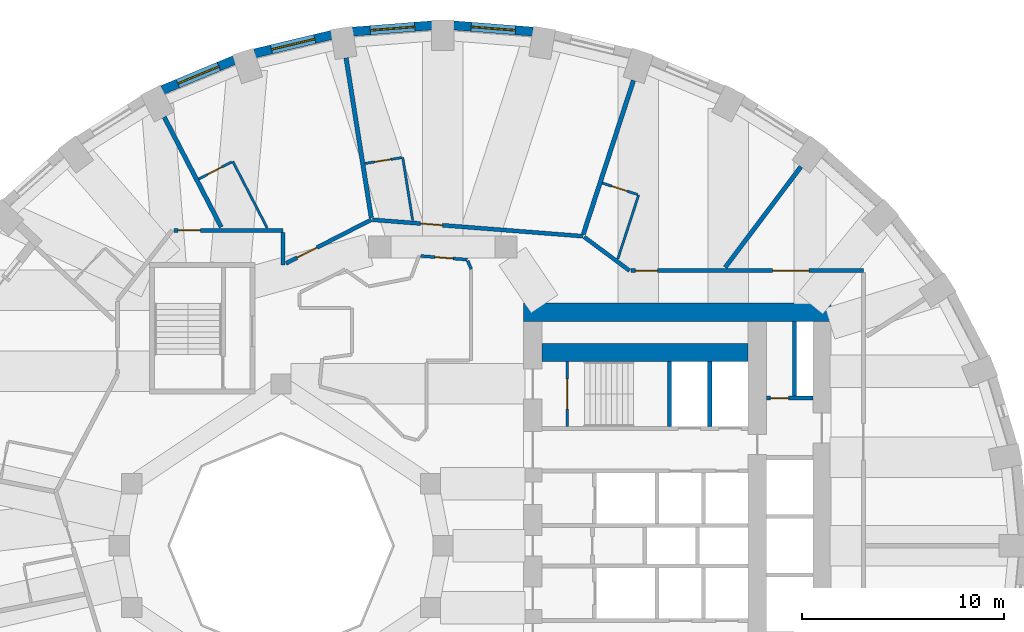
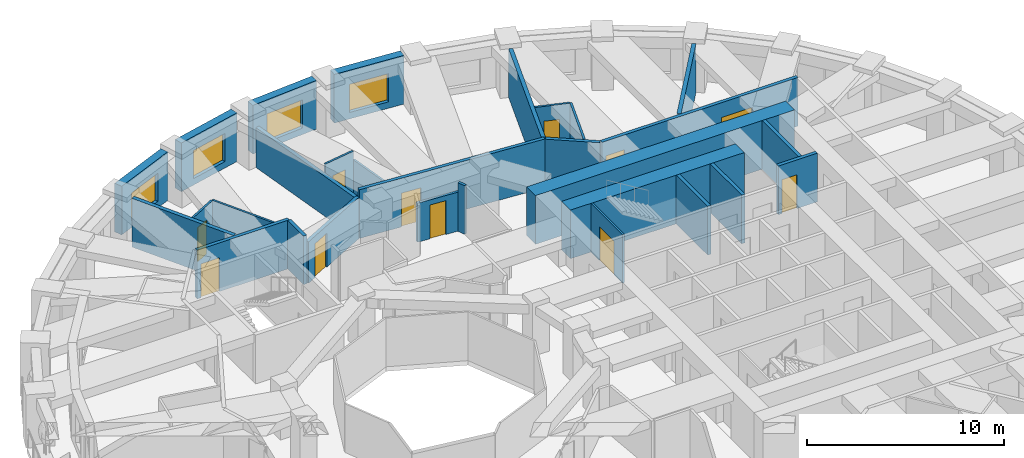
# One storey, part 8 of 13: 29 walls, 11 doors, 4 windows, 15 openings.
"""IFC4 building model written with IfcOpenShell, lengths in metres."""

import ifcopenshell
import ifcopenshell.guid

model = None  # the IFC model being written
_history = None  # IfcOwnerHistory: only IFC2X3 demands one
_inside = {}  # id of a spatial element -> (the spatial element, [elements in it])
_under = {}  # id of a project, library or spatial element -> (it, [spatial elements below it])
_declared = {}  # id of a project -> (the project, [libraries it declares])
_typed = {}  # id of a type object -> (the type object, [elements of that type])
_made_of = {}  # id of a material, layer set ... -> (it, [elements and type objects made of it])


def new_model(schema):
    """Start an empty IFC model of exactly this schema.

    Asked for "IFC4X3", IfcOpenShell would pick the latest addendum, in which some entities
    have other attributes; the version numbers below select the first issue.
    IFC2X3 requires an IfcOwnerHistory on every rooted entity: one is made here for all.
    """
    global model, _history
    if schema == "IFC4X3":
        model = ifcopenshell.file(schema_version=(4, 3, 0, 0))
    else:
        model = ifcopenshell.file(schema=schema)
    _inside.clear()
    _under.clear()
    _declared.clear()
    _typed.clear()
    _made_of.clear()
    _history = None
    if model.schema == "IFC2X3":
        org = make("IfcOrganization", Name="unknown")
        user = make(
            "IfcPersonAndOrganization",
            ThePerson=make("IfcPerson", FamilyName="unknown"),
            TheOrganization=org,
        )
        app = make(
            "IfcApplication",
            ApplicationDeveloper=org,
            Version="unknown",
            ApplicationFullName="unknown",
            ApplicationIdentifier="unknown",
        )
        _history = make(
            "IfcOwnerHistory",
            OwningUser=user,
            OwningApplication=app,
            ChangeAction="ADDED",
            CreationDate=0,
        )
    return model


def make(cls, **values):
    """One entity of the class cls with the attributes given. An attribute that is None is left unset."""
    return model.create_entity(
        cls, **{name: value for name, value in values.items() if value is not None}
    )


def rooted(cls, **values):
    """An entity with a GlobalId (a new one), such as an element, a storey or a relation."""
    return make(cls, GlobalId=ifcopenshell.guid.new(), OwnerHistory=_history, **values)


def si_unit(unit_type, name, prefix=None):
    """IfcSIUnit, for example si_unit("LENGTHUNIT", "METRE", prefix="MILLI")."""
    return make("IfcSIUnit", UnitType=unit_type, Prefix=prefix, Name=name)


def assignment(units):
    """IfcUnitAssignment: the units of a project."""
    return None if units is None else make("IfcUnitAssignment", Units=units)


def point(xyz):
    """IfcCartesianPoint."""
    return None if xyz is None else make("IfcCartesianPoint", Coordinates=xyz)


def direction(xyz):
    """IfcDirection."""
    return None if xyz is None else make("IfcDirection", DirectionRatios=xyz)


def frame(location, z_axis=None, x_axis=None):
    """IfcAxis2Placement3D, a coordinate frame: its origin and axes. An axis left out is left unset."""
    return make(
        "IfcAxis2Placement3D",
        Location=point(location),
        Axis=direction(z_axis),
        RefDirection=direction(x_axis),
    )


def frame_2d(location, x_axis=None):
    """IfcAxis2Placement2D, a coordinate frame in the plane: its origin and x axis."""
    return make(
        "IfcAxis2Placement2D", Location=point(location), RefDirection=direction(x_axis)
    )


def origin():
    """The frame at (0, 0, 0) with its axes left unset."""
    return frame((0.0, 0.0, 0.0))


def place(relative_to, where):
    """IfcLocalPlacement: puts the frame where relative to a parent placement (None: the world)."""
    return make(
        "IfcLocalPlacement", PlacementRelTo=relative_to, RelativePlacement=where
    )


def context(
    kind, dimensions, precision=None, world=None, true_north=None, identifier=None
):
    """IfcGeometricRepresentationContext, for example the 3D "Model" context."""
    return make(
        "IfcGeometricRepresentationContext",
        ContextIdentifier=identifier,
        ContextType=kind,
        CoordinateSpaceDimension=dimensions,
        Precision=precision,
        WorldCoordinateSystem=world,
        TrueNorth=true_north,
    )


def subcontext(parent, identifier, kind, view, scale=None):
    """IfcGeometricRepresentationSubContext, for example "Body" below "Model"."""
    return make(
        "IfcGeometricRepresentationSubContext",
        ContextIdentifier=identifier,
        ContextType=kind,
        ParentContext=parent,
        TargetScale=scale,
        TargetView=view,
    )


def project(units=None, contexts=None):
    """IfcProject with its units and contexts."""
    return rooted(
        "IfcProject",
        Name="project",
        RepresentationContexts=contexts,
        UnitsInContext=assignment(units),
    )


def spatial(cls, under=None, at=None, **own):
    """A site, building, storey or space (cls), placed at a placement, below another one or the project."""
    s = rooted(cls, ObjectPlacement=at, **own)
    if under is not None:
        _under.setdefault(under.id(), (under, []))[1].append(s)
    return s


def profile(cls, at=None, kind="AREA", **sizes):
    """A parametric profile (cls). Its sizes go by their IFC names, for example OverallWidth=200.0."""
    return make(cls, ProfileType=kind, Position=at, **sizes)


def rectangle(**sizes):
    """IfcRectangleProfileDef."""
    return profile("IfcRectangleProfileDef", **sizes)


def extrude(swept, where, along, depth):
    """IfcExtrudedAreaSolid: the profile swept, set in the frame where, extruded along a direction by depth."""
    return make(
        "IfcExtrudedAreaSolid",
        SweptArea=swept,
        Position=where,
        ExtrudedDirection=direction(along),
        Depth=depth,
    )


def shape(context_of_items, identifier, shape_type, items):
    """IfcShapeRepresentation: the items that make up one representation, for example the "Body"."""
    return make(
        "IfcShapeRepresentation",
        ContextOfItems=context_of_items,
        RepresentationIdentifier=identifier,
        RepresentationType=shape_type,
        Items=items,
    )


def material(Name=None, Category=None):
    """IfcMaterial."""
    return make("IfcMaterial", Name=Name, Category=Category)


def layer(
    of_material, thickness, ventilated=None, Name=None, Category=None, Priority=None
):
    """IfcMaterialLayer: one layer of a wall or slab, of a material (None: an air gap)."""
    return make(
        "IfcMaterialLayer",
        Material=of_material,
        LayerThickness=thickness,
        IsVentilated=ventilated,
        Name=Name,
        Category=Category,
        Priority=Priority,
    )


def layer_set(layers, Name=None):
    """IfcMaterialLayerSet."""
    return make("IfcMaterialLayerSet", MaterialLayers=layers, LayerSetName=Name)


def made_of(thing, what):
    """Note that an element or type object is made of a material, layer set ...; save() writes the relation."""
    if what is not None:
        _made_of.setdefault(what.id(), (what, []))[1].append(thing)
    return thing


def type_object(cls, material=None, **own):
    """A type object (cls), such as IfcWallType, which elements share."""
    return made_of(rooted(cls, **own), material)


def element(
    cls,
    number,
    at=None,
    inside=None,
    cuts=None,
    type_object=None,
    material=None,
    context=None,
    identifier="Body",
    shape_type=None,
    held_by="IfcProductDefinitionShape",
    body=None,
    shapes=None,
    **own,
):
    """One element of the class cls, such as IfcWall. Its Tag is "e" and its number.

    at: its placement. inside: the storey or other place that contains it. cuts: it is an
    opening in that element (IfcRelVoidsElement). A single representation is given by context,
    identifier, shape_type and body (its items); several are given by shapes. held_by: the class
    of the entity that holds the representations. save() writes the other relations.
    """
    e = rooted(cls, Tag="e%d" % number, ObjectPlacement=at, **own)
    if body is not None:
        shapes = [shape(context, identifier, shape_type, body)]
    if shapes is not None:
        e.Representation = make(held_by, Representations=shapes)
    if inside is not None:
        _inside.setdefault(inside.id(), (inside, []))[1].append(e)
    if cuts is not None:
        rooted(
            "IfcRelVoidsElement", RelatingBuildingElement=cuts, RelatedOpeningElement=e
        )
    if type_object is not None:
        _typed.setdefault(type_object.id(), (type_object, []))[1].append(e)
    return made_of(e, material)


def fill(opening, filler):
    """IfcRelFillsElement: the door or window that sits in an opening."""
    return rooted(
        "IfcRelFillsElement",
        RelatingOpeningElement=opening,
        RelatedBuildingElement=filler,
    )


def aggregate(whole, parts):
    """IfcRelAggregates: a whole, such as a stair, and the parts it consists of."""
    return rooted("IfcRelAggregates", RelatingObject=whole, RelatedObjects=parts)


def save(model, path):
    """Write the relations noted so far, then the file.

    IfcRelAggregates (storeys below a building ...), IfcRelContainedInSpatialStructure (elements
    in a storey), IfcRelDefinesByType, IfcRelAssociatesMaterial and IfcRelDeclares: one each for
    every whole, place, type object, material and project.
    """
    for whole, parts in _under.values():
        aggregate(whole, parts)
    for where, things in _inside.values():
        rooted(
            "IfcRelContainedInSpatialStructure",
            RelatedElements=things,
            RelatingStructure=where,
        )
    for kind, things in _typed.values():
        rooted("IfcRelDefinesByType", RelatedObjects=things, RelatingType=kind)
    for what, things in _made_of.values():
        rooted("IfcRelAssociatesMaterial", RelatedObjects=things, RelatingMaterial=what)
    for by, libraries in _declared.values():
        rooted("IfcRelDeclares", RelatingContext=by, RelatedDefinitions=libraries)
    model.write(path)


model = new_model("IFC4")

# Units and contexts
model_context = context("Model", 3, precision=1e-05, world=origin(), true_north=direction((0.0, 1.0)))
body_context = subcontext(model_context, "Body", "Model", "MODEL_VIEW")
ifc_project = project(units=[si_unit("LENGTHUNIT", "METRE"), si_unit("AREAUNIT", "SQUARE_METRE"), si_unit("VOLUMEUNIT", "CUBIC_METRE"), si_unit("PLANEANGLEUNIT", "RADIAN"), si_unit("MASSUNIT", "GRAM", prefix="KILO")], contexts=[model_context])

# Site, building, storey
site_placement = place(None, origin())
site = spatial("IfcSite", under=ifc_project, at=site_placement, CompositionType="ELEMENT")
building_placement = place(site_placement, origin())
building = spatial("IfcBuilding", under=site, at=building_placement, Name="Taillehof Tower", CompositionType="ELEMENT")
storey_placement = place(building_placement, frame((0.0, 0.0, 31.60009765625)))
storey = spatial("IfcBuildingStorey", under=building, at=storey_placement, Name="L07", CompositionType="ELEMENT", Elevation=31.60009765625)

# Wall, opening, window
ifc_material_1 = material(Name="Brick masonry", Category="masonry")
ifc_layer_1 = layer(ifc_material_1, 0.449951171875)
ifc_layer_set_1 = layer_set([ifc_layer_1], Name="Brick infill wall 450")
wall_type_1 = type_object("IfcWallType", Name="Brick infill wall 450", PredefinedType="SOLIDWALL", material=ifc_layer_set_1)
wall_1_placement = place(storey_placement, frame((4.457275390625, 25.42578125, 0.0), z_axis=(0.0, 0.0, 1.0), x_axis=(-0.996955972145, 0.077966592873, 0.0)))
wall_1 = element("IfcWall", 1, at=wall_1_placement, inside=storey, type_object=wall_type_1, Name="Brick wall L07 bay 9", PredefinedType="SOLIDWALL", context=body_context, shape_type="SweptSolid", body=[
    extrude(rectangle(XDim=3.939208984375, YDim=0.449951171875, at=frame_2d((1.9697265625, 0.0))), origin(), (0.0, 0.0, 1.0), 3.02001953125),
])
opening_1_placement = place(wall_1_placement, frame((0.86962890625, 0.0, 0.39990234375)))
opening_1 = element("IfcOpeningElement", 2, at=opening_1_placement, cuts=wall_1, Name="Opening W1", PredefinedType="OPENING", context=body_context, shape_type="SweptSolid", body=[
    extrude(rectangle(XDim=2.199951171875, YDim=1.75, at=frame_2d((1.10009765625, 0.875))), frame((0.0, 0.23486328125, 0.0), z_axis=(0.0, -1.0, 0.0), x_axis=(1.0, 0.0, 0.0)), (0.0, 0.0, 1.0), 0.469970703125),
])
ifc_material_2 = material(Name="Aluminium window frame with clear double glazing", Category="aluminium")
window_type = type_object("IfcWindowType", Name="Deep-set window 2200x1750", PartitioningType="SINGLE_PANEL", PredefinedType="WINDOW", material=ifc_material_2)
window_1_placement = place(opening_1_placement, origin())
window_1 = element("IfcWindow", 3, at=window_1_placement, inside=storey, type_object=window_type, Name="W1", OverallHeight=1.75, OverallWidth=2.199951171875, PartitioningType="SINGLE_PANEL", PredefinedType="WINDOW", context=body_context, shape_type="SweptSolid", body=[
    extrude(rectangle(XDim=2.199951171875, YDim=1.75, at=frame_2d((1.10009765625, 0.875))), frame((0.0, 0.034912109375, 0.0), z_axis=(0.0, -1.0, 0.0), x_axis=(1.0, 0.0, 0.0)), (0.0, 0.0, 1.0), 0.06005859375),
])
fill(opening_1, window_1)

wall_2_placement = place(storey_placement, frame((-0.530029296875, 25.73291015625, 0.0), z_axis=(0.0, 0.0, 1.0), x_axis=(-0.996955972145, -0.077966592873, 0.0)))
wall_2 = element("IfcWall", 4, at=wall_2_placement, inside=storey, type_object=wall_type_1, Name="Brick wall L07 bay 10", PredefinedType="SOLIDWALL", context=body_context, shape_type="SweptSolid", body=[
    extrude(rectangle(XDim=3.939208984375, YDim=0.449951171875, at=frame_2d((1.9697265625, 0.0))), origin(), (0.0, 0.0, 1.0), 3.02001953125),
])
opening_2_placement = place(wall_2_placement, frame((0.86962890625, 0.0, 0.39990234375)))
opening_2 = element("IfcOpeningElement", 5, at=opening_2_placement, cuts=wall_2, Name="Opening W1", PredefinedType="OPENING", context=body_context, shape_type="SweptSolid", body=[
    extrude(rectangle(XDim=2.199951171875, YDim=1.75, at=frame_2d((1.10009765625, 0.875))), frame((0.0, 0.23486328125, 0.0), z_axis=(0.0, -1.0, 0.0), x_axis=(1.0, 0.0, 0.0)), (0.0, 0.0, 1.0), 0.469970703125),
])
window_2_placement = place(opening_2_placement, origin())
window_2 = element("IfcWindow", 6, at=window_2_placement, inside=storey, type_object=window_type, Name="W1", OverallHeight=1.75, OverallWidth=2.199951171875, PartitioningType="SINGLE_PANEL", PredefinedType="WINDOW", context=body_context, shape_type="SweptSolid", body=[
    extrude(rectangle(XDim=2.199951171875, YDim=1.75, at=frame_2d((1.10009765625, 0.875))), frame((0.0, 0.034912109375, 0.0), z_axis=(0.0, -1.0, 0.0), x_axis=(1.0, 0.0, 0.0)), (0.0, 0.0, 1.0), 0.06005859375),
])
fill(opening_2, window_2)

wall_3_placement = place(storey_placement, frame((-5.50439453125, 25.260498046875, 0.0), z_axis=(0.0, 0.0, 1.0), x_axis=(-0.972496561493, -0.232917233979, 0.0)))
wall_3 = element("IfcWall", 7, at=wall_3_placement, inside=storey, type_object=wall_type_1, Name="Brick wall L07 bay 11", PredefinedType="SOLIDWALL", context=body_context, shape_type="SweptSolid", body=[
    extrude(rectangle(XDim=3.910888671875, YDim=0.449951171875, at=frame_2d((1.95556640625, 0.0))), origin(), (0.0, 0.0, 1.0), 3.02001953125),
])
opening_3_placement = place(wall_3_placement, frame((0.855224609375, 0.0, 0.39990234375)))
opening_3 = element("IfcOpeningElement", 8, at=opening_3_placement, cuts=wall_3, Name="Opening W1", PredefinedType="OPENING", context=body_context, shape_type="SweptSolid", body=[
    extrude(rectangle(XDim=2.199951171875, YDim=1.75, at=frame_2d((1.10009765625, 0.875))), frame((0.0, 0.23486328125, 0.0), z_axis=(0.0, -1.0, 0.0), x_axis=(1.0, 0.0, 0.0)), (0.0, 0.0, 1.0), 0.469970703125),
])
window_3_placement = place(opening_3_placement, origin())
window_3 = element("IfcWindow", 9, at=window_3_placement, inside=storey, type_object=window_type, Name="W1", OverallHeight=1.75, OverallWidth=2.199951171875, PartitioningType="SINGLE_PANEL", PredefinedType="WINDOW", context=body_context, shape_type="SweptSolid", body=[
    extrude(rectangle(XDim=2.199951171875, YDim=1.75, at=frame_2d((1.10009765625, 0.875))), frame((0.0, 0.034912109375, 0.0), z_axis=(0.0, -1.0, 0.0), x_axis=(1.0, 0.0, 0.0)), (0.0, 0.0, 1.0), 0.06005859375),
])
fill(opening_3, window_3)

wall_4_placement = place(storey_placement, frame((-10.3154296875, 24.02099609375, 0.0), z_axis=(0.0, 0.0, 1.0), x_axis=(-0.923031964282, -0.384723267966, 0.0)))
wall_4 = element("IfcWall", 10, at=wall_4_placement, inside=storey, type_object=wall_type_1, Name="Brick wall L07 bay 12", PredefinedType="SOLIDWALL", context=body_context, shape_type="SweptSolid", body=[
    extrude(rectangle(XDim=3.8564453125, YDim=0.449951171875, at=frame_2d((1.92822265625, 0.0))), origin(), (0.0, 0.0, 1.0), 3.02001953125),
])
opening_4_placement = place(wall_4_placement, frame((0.828125, 0.0, 0.39990234375)))
opening_4 = element("IfcOpeningElement", 11, at=opening_4_placement, cuts=wall_4, Name="Opening W1", PredefinedType="OPENING", context=body_context, shape_type="SweptSolid", body=[
    extrude(rectangle(XDim=2.199951171875, YDim=1.75, at=frame_2d((1.10009765625, 0.875))), frame((0.0, 0.23486328125, 0.0), z_axis=(0.0, -1.0, 0.0), x_axis=(1.0, 0.0, 0.0)), (0.0, 0.0, 1.0), 0.469970703125),
])
window_4_placement = place(opening_4_placement, origin())
window_4 = element("IfcWindow", 12, at=window_4_placement, inside=storey, type_object=window_type, Name="W1", OverallHeight=1.75, OverallWidth=2.199951171875, PartitioningType="SINGLE_PANEL", PredefinedType="WINDOW", context=body_context, shape_type="SweptSolid", body=[
    extrude(rectangle(XDim=2.199951171875, YDim=1.75, at=frame_2d((1.10009765625, 0.875))), frame((0.0, 0.034912109375, 0.0), z_axis=(0.0, -1.0, 0.0), x_axis=(1.0, 0.0, 0.0)), (0.0, 0.0, 1.0), 0.06005859375),
])
fill(opening_4, window_4)

# Wall, opening, door
ifc_material_3 = material(Name="Calcium silicate masonry", Category="masonry")
ifc_layer_2 = layer(ifc_material_3, 0.199951171875)
ifc_layer_set_2 = layer_set([ifc_layer_2], Name="Compartment wall calcium silicate 200")
wall_type_2 = type_object("IfcWallType", Name="Compartment wall calcium silicate 200", PredefinedType="PARTITIONING", material=ifc_layer_set_2)
wall_5_placement = place(storey_placement, frame((16.0, 7.300048828125, 0.0), z_axis=(0.0, 0.0, 1.0), x_axis=(1.0, 0.0, 0.0)))
wall_5 = element("IfcWall", 13, at=wall_5_placement, inside=storey, type_object=wall_type_2, Name="Compartment wall FW", PredefinedType="PARTITIONING", context=body_context, shape_type="SweptSolid", body=[
    extrude(rectangle(XDim=2.300048828125, YDim=0.199951171875, at=frame_2d((1.14990234375, 0.0))), origin(), (0.0, 0.0, 1.0), 3.02001953125),
])
opening_5_placement = place(wall_5_placement, frame((0.199951171875, 0.0, 0.0)))
opening_5 = element("IfcOpeningElement", 14, at=opening_5_placement, cuts=wall_5, Name="Opening D0716", PredefinedType="OPENING", context=body_context, shape_type="SweptSolid", body=[
    extrude(rectangle(XDim=0.89990234375, YDim=2.10009765625, at=frame_2d((0.449951171875, 1.050048828125))), frame((0.0, 0.10986328125, 0.0), z_axis=(0.0, -1.0, 0.0), x_axis=(1.0, 0.0, 0.0)), (0.0, 0.0, 1.0), 0.219970703125),
])
ifc_material_4 = material(Name="Steel-faced fire door", Category="steel")
door_type_1 = type_object("IfcDoorType", Name="Riser and service room door 900x2100", OperationType="SINGLE_SWING_LEFT", PredefinedType="DOOR", material=ifc_material_4)
door_1_placement = place(opening_5_placement, origin())
door_1 = element("IfcDoor", 15, at=door_1_placement, inside=storey, type_object=door_type_1, Name="Door Housekeeping Store", OperationType="SINGLE_SWING_RIGHT", OverallHeight=2.10009765625, OverallWidth=0.89990234375, PredefinedType="DOOR", context=body_context, shape_type="SweptSolid", body=[
    extrude(rectangle(XDim=0.89990234375, YDim=2.10009765625, at=frame_2d((0.449951171875, 1.050048828125))), frame((0.0, 0.02490234375, 0.0), z_axis=(0.0, -1.0, 0.0), x_axis=(1.0, 0.0, 0.0)), (0.0, 0.0, 1.0), 0.050048828125),
])
fill(opening_5, door_1)

# Wall
wall_6_placement = place(storey_placement, frame((17.39990234375, 7.39990234375, 0.0), z_axis=(0.0, 0.0, 1.0), x_axis=(0.0, 1.0, 0.0)))
element("IfcWall", 16, at=wall_6_placement, inside=storey, type_object=wall_type_2, Name="Compartment wall FW", PredefinedType="PARTITIONING", context=body_context, shape_type="SweptSolid", body=[
    extrude(rectangle(XDim=3.7001953125, YDim=0.199951171875, at=frame_2d((1.85009765625, 0.0))), origin(), (0.0, 0.0, 1.0), 3.02001953125),
])

# Wall, opening, door
ifc_material_5 = material(Name="Gypsum board on steel studs, two layers each side", Category="steel")
ifc_layer_3 = layer(ifc_material_5, 0.199951171875)
ifc_layer_set_3 = layer_set([ifc_layer_3], Name="Compartment wall corridor 200")
wall_type_3 = type_object("IfcWallType", Name="Compartment wall corridor 200", PredefinedType="PARTITIONING", material=ifc_layer_set_3)
wall_7_placement = place(storey_placement, frame((-13.30908203125, 15.60009765625, 0.0), z_axis=(0.0, 0.0, 1.0), x_axis=(1.0, 0.0, 0.0)))
wall_7 = element("IfcWall", 17, at=wall_7_placement, inside=storey, type_object=wall_type_3, Name="Compartment wall", PredefinedType="PARTITIONING", context=body_context, shape_type="SweptSolid", body=[
    extrude(rectangle(XDim=5.4091796875, YDim=0.199951171875, at=frame_2d((2.70458984375, 0.0))), origin(), (0.0, 0.0, 1.0), 3.02001953125),
])
opening_6_placement = place(wall_7_placement, frame((0.219970703125, 0.0, 0.0)))
opening_6 = element("IfcOpeningElement", 18, at=opening_6_placement, cuts=wall_7, Name="Opening D0746", PredefinedType="OPENING", context=body_context, shape_type="SweptSolid", body=[
    extrude(rectangle(XDim=1.10009765625, YDim=2.10009765625, at=frame_2d((0.550048828125, 1.050048828125))), frame((0.0, 0.10986328125, 0.0), z_axis=(0.0, -1.0, 0.0), x_axis=(1.0, 0.0, 0.0)), (0.0, 0.0, 1.0), 0.219970703125),
])
ifc_material_6 = material(Name="Timber door leaf in steel frame", Category="steel")
door_type_2 = type_object("IfcDoorType", Name="Accessible guest room door EI 30 1100 x 2100", OperationType="SINGLE_SWING_LEFT", PredefinedType="DOOR", material=ifc_material_6)
door_2_placement = place(opening_6_placement, origin())
door_2 = element("IfcDoor", 19, at=door_2_placement, inside=storey, type_object=door_type_2, Name="D0746", OperationType="SINGLE_SWING_RIGHT", OverallHeight=2.10009765625, OverallWidth=1.10009765625, PredefinedType="DOOR", context=body_context, shape_type="SweptSolid", body=[
    extrude(rectangle(XDim=1.10009765625, YDim=2.10009765625, at=frame_2d((0.550048828125, 1.050048828125))), frame((0.0, 0.02490234375, 0.0), z_axis=(0.0, -1.0, 0.0), x_axis=(1.0, 0.0, 0.0)), (0.0, 0.0, 1.0), 0.050048828125),
])
fill(opening_6, door_2)

# Wall
wall_8_placement = place(storey_placement, frame((-7.89990234375, 15.5, 0.0), z_axis=(0.0, 0.0, 1.0), x_axis=(0.0, -1.0, 0.0)))
element("IfcWall", 20, at=wall_8_placement, inside=storey, type_object=wall_type_3, Name="Compartment wall", PredefinedType="PARTITIONING", context=body_context, shape_type="SweptSolid", body=[
    extrude(rectangle(XDim=1.609619140625, YDim=0.199951171875, at=frame_2d((0.8046875, 0.0))), origin(), (0.0, 0.0, 1.0), 3.02001953125),
])

# Wall, opening, door
wall_9_placement = place(storey_placement, frame((-7.75732421875, 13.962646484375, 0.0), z_axis=(0.0, 0.0, 1.0), x_axis=(0.89017531408, 0.455618162722, 0.0)))
wall_9 = element("IfcWall", 21, at=wall_9_placement, inside=storey, type_object=wall_type_3, Name="Compartment wall", PredefinedType="PARTITIONING", context=body_context, shape_type="SweptSolid", body=[
    extrude(rectangle(XDim=4.7412109375, YDim=0.199951171875, at=frame_2d((2.37060546875, 0.0))), origin(), (0.0, 0.0, 1.0), 2.56982421875),
])
opening_7_placement = place(wall_9_placement, frame((0.6201171875, 0.0, 0.0)))
opening_7 = element("IfcOpeningElement", 22, at=opening_7_placement, cuts=wall_9, Name="Opening D0744", PredefinedType="OPENING", context=body_context, shape_type="SweptSolid", body=[
    extrude(rectangle(XDim=1.10009765625, YDim=2.10009765625, at=frame_2d((0.550048828125, 1.050048828125))), frame((0.0, 0.10986328125, 0.0), z_axis=(0.0, -1.0, 0.0), x_axis=(1.0, 0.0, 0.0)), (0.0, 0.0, 1.0), 0.219970703125),
])
ifc_material_7 = material(Name="Timber door leaf in steel frame", Category="steel")
door_type_3 = type_object("IfcDoorType", Name="Suite entrance door EI 30 1100 x 2100", OperationType="SINGLE_SWING_LEFT", PredefinedType="DOOR", material=ifc_material_7)
door_3_placement = place(opening_7_placement, origin())
door_3 = element("IfcDoor", 23, at=door_3_placement, inside=storey, type_object=door_type_3, Name="D0744", OperationType="SINGLE_SWING_LEFT", OverallHeight=2.10009765625, OverallWidth=1.10009765625, PredefinedType="DOOR", context=body_context, shape_type="SweptSolid", body=[
    extrude(rectangle(XDim=1.10009765625, YDim=2.10009765625, at=frame_2d((0.550048828125, 1.050048828125))), frame((0.0, 0.02490234375, 0.0), z_axis=(0.0, -1.0, 0.0), x_axis=(1.0, 0.0, 0.0)), (0.0, 0.0, 1.0), 0.050048828125),
])
fill(opening_7, door_3)

wall_10_placement = place(storey_placement, frame((-3.476806640625, 16.118408203125, 0.0), z_axis=(0.0, 0.0, 1.0), x_axis=(0.996970328684, -0.077782798383, 0.0)))
wall_10 = element("IfcWall", 24, at=wall_10_placement, inside=storey, type_object=wall_type_3, Name="Compartment wall", PredefinedType="PARTITIONING", context=body_context, shape_type="SweptSolid", body=[
    extrude(rectangle(XDim=10.448974609375, YDim=0.199951171875, at=frame_2d((5.224609375, 0.0))), origin(), (0.0, 0.0, 1.0), 3.02001953125),
])
opening_8_placement = place(wall_10_placement, frame((2.372314453125, 0.0, 0.0)))
opening_8 = element("IfcOpeningElement", 25, at=opening_8_placement, cuts=wall_10, Name="Opening D0742", PredefinedType="OPENING", context=body_context, shape_type="SweptSolid", body=[
    extrude(rectangle(XDim=1.10009765625, YDim=2.10009765625, at=frame_2d((0.550048828125, 1.050048828125))), frame((0.0, 0.10986328125, 0.0), z_axis=(0.0, -1.0, 0.0), x_axis=(1.0, 0.0, 0.0)), (0.0, 0.0, 1.0), 0.219970703125),
])
door_4_placement = place(opening_8_placement, origin())
door_4 = element("IfcDoor", 26, at=door_4_placement, inside=storey, type_object=door_type_3, Name="D0742", OperationType="SINGLE_SWING_LEFT", OverallHeight=2.10009765625, OverallWidth=1.10009765625, PredefinedType="DOOR", context=body_context, shape_type="SweptSolid", body=[
    extrude(rectangle(XDim=1.10009765625, YDim=2.10009765625, at=frame_2d((0.550048828125, 1.050048828125))), frame((0.0, 0.02490234375, 0.0), z_axis=(0.0, -1.0, 0.0), x_axis=(1.0, 0.0, 0.0)), (0.0, 0.0, 1.0), 0.050048828125),
])
fill(opening_8, door_4)

# Wall
wall_11_placement = place(storey_placement, frame((6.98876953125, 15.269775390625, 0.0), z_axis=(0.0, 0.0, 1.0), x_axis=(0.8028261118, -0.596213245586, 0.0)))
element("IfcWall", 27, at=wall_11_placement, inside=storey, type_object=wall_type_3, Name="Compartment wall", PredefinedType="PARTITIONING", context=body_context, shape_type="SweptSolid", body=[
    extrude(rectangle(XDim=2.800537109375, YDim=0.199951171875, at=frame_2d((1.400390625, 0.0))), origin(), (0.0, 0.0, 1.0), 3.02001953125),
])

# Wall, openings, doors
wall_12_placement = place(storey_placement, frame((9.297119140625, 13.60009765625, 0.0), z_axis=(0.0, 0.0, 1.0), x_axis=(1.0, 0.0, 0.0)))
wall_12 = element("IfcWall", 28, at=wall_12_placement, inside=storey, type_object=wall_type_3, Name="Compartment wall", PredefinedType="PARTITIONING", context=body_context, shape_type="SweptSolid", body=[
    extrude(rectangle(XDim=11.5029296875, YDim=0.199951171875, at=frame_2d((5.75146484375, 0.0))), origin(), (0.0, 0.0, 1.0), 3.02001953125),
])
opening_9_placement = place(wall_12_placement, frame((0.219970703125, 0.0, 0.0)))
opening_9 = element("IfcOpeningElement", 29, at=opening_9_placement, cuts=wall_12, Name="Opening D0740", PredefinedType="OPENING", context=body_context, shape_type="SweptSolid", body=[
    extrude(rectangle(XDim=1.10009765625, YDim=2.10009765625, at=frame_2d((0.550048828125, 1.050048828125))), frame((0.0, 0.10986328125, 0.0), z_axis=(0.0, -1.0, 0.0), x_axis=(1.0, 0.0, 0.0)), (0.0, 0.0, 1.0), 0.219970703125),
])
opening_10_placement = place(wall_12_placement, frame((7.012939453125, 0.0, 0.0)))
opening_10 = element("IfcOpeningElement", 30, at=opening_10_placement, cuts=wall_12, Name="Opening D0765", PredefinedType="OPENING", context=body_context, shape_type="SweptSolid", body=[
    extrude(rectangle(XDim=1.800048828125, YDim=2.10009765625, at=frame_2d((0.89990234375, 1.050048828125))), frame((0.0, 0.10986328125, 0.0), z_axis=(0.0, -1.0, 0.0), x_axis=(1.0, 0.0, 0.0)), (0.0, 0.0, 1.0), 0.219970703125),
])
ifc_material_8 = material(Name="Timber door leaf in steel frame", Category="steel")
door_type_4 = type_object("IfcDoorType", Name="Lounge and meeting room double door EI 30 1800 x 2100", OperationType="SINGLE_SWING_LEFT", PredefinedType="DOOR", material=ifc_material_8)
door_5_placement = place(opening_10_placement, origin())
door_5 = element("IfcDoor", 31, at=door_5_placement, inside=storey, type_object=door_type_4, Name="D0765", OperationType="DOUBLE_DOOR_SINGLE_SWING", OverallHeight=2.10009765625, OverallWidth=1.800048828125, PredefinedType="DOOR", context=body_context, shape_type="SweptSolid", body=[
    extrude(rectangle(XDim=1.800048828125, YDim=2.10009765625, at=frame_2d((0.89990234375, 1.050048828125))), frame((0.0, 0.02490234375, 0.0), z_axis=(0.0, -1.0, 0.0), x_axis=(1.0, 0.0, 0.0)), (0.0, 0.0, 1.0), 0.050048828125),
])
fill(opening_10, door_5)
door_6_placement = place(opening_9_placement, origin())
door_6 = element("IfcDoor", 32, at=door_6_placement, inside=storey, type_object=door_type_3, Name="D0740", OperationType="SINGLE_SWING_LEFT", OverallHeight=2.10009765625, OverallWidth=1.10009765625, PredefinedType="DOOR", context=body_context, shape_type="SweptSolid", body=[
    extrude(rectangle(XDim=1.10009765625, YDim=2.10009765625, at=frame_2d((0.550048828125, 1.050048828125))), frame((0.0, 0.02490234375, 0.0), z_axis=(0.0, -1.0, 0.0), x_axis=(1.0, 0.0, 0.0)), (0.0, 0.0, 1.0), 0.050048828125),
])
fill(opening_9, door_6)

# Walls
ifc_material_9 = material(Name="Gypsum board on double steel studs with mineral wool", Category="steel")
ifc_layer_4 = layer(ifc_material_9, 0.219970703125)
ifc_layer_set_4 = layer_set([ifc_layer_4], Name="Compartment wall guest room 220")
wall_type_4 = type_object("IfcWallType", Name="Compartment wall guest room 220", PredefinedType="PARTITIONING", material=ifc_layer_set_4)
wall_13_placement = place(storey_placement, frame((17.707763671875, 18.7431640625, 0.0), z_axis=(0.0, 0.0, 1.0), x_axis=(-0.601177883261, -0.799115231164, 0.0)))
element("IfcWall", 33, at=wall_13_placement, inside=storey, type_object=wall_type_4, Name="Compartment wall", PredefinedType="PARTITIONING", context=body_context, shape_type="SweptSolid", body=[
    extrude(rectangle(XDim=6.231201171875, YDim=0.219970703125, at=frame_2d((3.11572265625, 0.0))), origin(), (0.0, 0.0, 1.0), 3.02001953125),
])
wall_14_placement = place(storey_placement, frame((9.429443359375, 23.01416015625, 0.0), z_axis=(0.0, 0.0, 1.0), x_axis=(-0.310227384954, -0.950662384669, 0.0)))
element("IfcWall", 34, at=wall_14_placement, inside=storey, type_object=wall_type_4, Name="Compartment wall", PredefinedType="PARTITIONING", context=body_context, shape_type="SweptSolid", body=[
    extrude(rectangle(XDim=8.00341796875, YDim=0.219970703125, at=frame_2d((4.001708984375, 0.0))), origin(), (0.0, 0.0, 1.0), 3.02001953125),
])
wall_15_placement = place(storey_placement, frame((-4.788330078125, 24.12548828125, 0.0), z_axis=(0.0, 0.0, 1.0), x_axis=(0.156108238506, -0.987739954578, 0.0)))
element("IfcWall", 35, at=wall_15_placement, inside=storey, type_object=wall_type_4, Name="Compartment wall", PredefinedType="PARTITIONING", context=body_context, shape_type="SweptSolid", body=[
    extrude(rectangle(XDim=8.004150390625, YDim=0.219970703125, at=frame_2d((4.001953125, 0.0))), origin(), (0.0, 0.0, 1.0), 2.469970703125),
])
wall_16_placement = place(storey_placement, frame((-13.7802734375, 21.201171875, 0.0), z_axis=(0.0, 0.0, 1.0), x_axis=(0.459699000582, -0.888074787878, 0.0)))
element("IfcWall", 36, at=wall_16_placement, inside=storey, type_object=wall_type_4, Name="Compartment wall", PredefinedType="PARTITIONING", context=body_context, shape_type="SweptSolid", body=[
    extrude(rectangle(XDim=6.134033203125, YDim=0.219970703125, at=frame_2d((3.06689453125, 0.0))), origin(), (0.0, 0.0, 1.0), 3.02001953125),
])

# Wall, opening, door
ifc_material_10 = material(Name="Gypsum board on steel studs, two layers each side", Category="steel")
ifc_layer_5 = layer(ifc_material_10, 0.14990234375)
ifc_layer_set_5 = layer_set([ifc_layer_5], Name="Compartment wall service room 150")
wall_type_5 = type_object("IfcWallType", Name="Compartment wall service room 150", PredefinedType="PARTITIONING", material=ifc_layer_set_5)
wall_17_placement = place(storey_placement, frame((-1.095703125, 14.327880859375, 0.0), z_axis=(0.0, 0.0, 1.0), x_axis=(0.996959190057, -0.077925434624, 0.0)))
wall_17 = element("IfcWall", 37, at=wall_17_placement, inside=storey, type_object=wall_type_5, Name="Compartment wall", PredefinedType="PARTITIONING", context=body_context, shape_type="SweptSolid", body=[
    extrude(rectangle(XDim=2.30908203125, YDim=0.14990234375, at=frame_2d((1.154541015625, 0.0))), origin(), (0.0, 0.0, 1.0), 2.419921875),
])
opening_11_placement = place(wall_17_placement, frame((0.70458984375, 0.0, 0.0)))
opening_11 = element("IfcOpeningElement", 38, at=opening_11_placement, cuts=wall_17, Name="Opening D0766", PredefinedType="OPENING", context=body_context, shape_type="SweptSolid", body=[
    extrude(rectangle(XDim=0.89990234375, YDim=2.10009765625, at=frame_2d((0.449951171875, 1.050048828125))), frame((0.0, 0.0849609375, 0.0), z_axis=(0.0, -1.0, 0.0), x_axis=(1.0, 0.0, 0.0)), (0.0, 0.0, 1.0), 0.169921875),
])
ifc_material_11 = material(Name="Timber door leaf in steel frame", Category="steel")
door_type_5 = type_object("IfcDoorType", Name="Service room door EI 30 900 x 2100", OperationType="SINGLE_SWING_LEFT", PredefinedType="DOOR", material=ifc_material_11)
door_7_placement = place(opening_11_placement, origin())
door_7 = element("IfcDoor", 39, at=door_7_placement, inside=storey, type_object=door_type_5, Name="D0766", OperationType="SINGLE_SWING_LEFT", OverallHeight=2.10009765625, OverallWidth=0.89990234375, PredefinedType="DOOR", context=body_context, shape_type="SweptSolid", body=[
    extrude(rectangle(XDim=0.89990234375, YDim=2.10009765625, at=frame_2d((0.449951171875, 1.050048828125))), frame((0.0, 0.02490234375, 0.0), z_axis=(0.0, -1.0, 0.0), x_axis=(1.0, 0.0, 0.0)), (0.0, 0.0, 1.0), 0.050048828125),
])
fill(opening_11, door_7)

# Walls
wall_18_placement = place(storey_placement, frame((1.22900390625, 14.09228515625, 0.0), z_axis=(0.0, 0.0, 1.0), x_axis=(0.38344820197, -0.923562383603, 0.0)))
element("IfcWall", 40, at=wall_18_placement, inside=storey, type_object=wall_type_5, Name="Compartment wall", PredefinedType="PARTITIONING", context=body_context, shape_type="SweptSolid", body=[
    extrude(rectangle(XDim=0.44580078125, YDim=0.14990234375, at=frame_2d((0.222900390625, 0.0))), origin(), (0.0, 0.0, 1.0), 3.02001953125),
])
ifc_material_12 = material(Name="Concrete C80/95", Category="concrete")
ifc_layer_6 = layer(ifc_material_12, 0.89990234375)
ifc_layer_set_6 = layer_set([ifc_layer_6], Name="Core wall C80/95 900")
wall_type_6 = type_object("IfcWallType", Name="Core wall C80/95 900", PredefinedType="SHEAR", material=ifc_layer_set_6)
wall_19_placement = place(storey_placement, frame((4.0, 11.550048828125, 0.0), z_axis=(0.0, 0.0, 1.0), x_axis=(1.0, 0.0, 0.0)))
element("IfcWall", 41, at=wall_19_placement, inside=storey, type_object=wall_type_6, Name="Core wall CW03", PredefinedType="SHEAR", context=body_context, shape_type="SweptSolid", body=[
    extrude(rectangle(XDim=15.199951171875, YDim=0.89990234375, at=frame_2d((7.60009765625, 0.0))), origin(), (0.0, 0.0, 1.0), 3.02001953125),
])
wall_20_placement = place(storey_placement, frame((4.89990234375, 9.550048828125, 0.0), z_axis=(0.0, 0.0, 1.0), x_axis=(1.0, 0.0, 0.0)))
element("IfcWall", 42, at=wall_20_placement, inside=storey, type_object=wall_type_6, Name="Core wall CW06", PredefinedType="SHEAR", context=body_context, shape_type="SweptSolid", body=[
    extrude(rectangle(XDim=10.2001953125, YDim=0.89990234375, at=frame_2d((5.10009765625, 0.0))), origin(), (0.0, 0.0, 1.0), 3.02001953125),
])
ifc_material_13 = material(Name="Gypsum board on steel studs, moisture resistant", Category="steel")
ifc_layer_7 = layer(ifc_material_13, 0.1201171875)
ifc_layer_set_7 = layer_set([ifc_layer_7], Name="En-suite wall 120")
wall_type_7 = type_object("IfcWallType", Name="En-suite wall 120", PredefinedType="PARTITIONING", material=ifc_layer_set_7)
wall_21_placement = place(storey_placement, frame((8.6513671875, 14.18310546875, 0.0), z_axis=(0.0, 0.0, 1.0), x_axis=(0.310239544913, 0.950658416453, 0.0)))
element("IfcWall", 43, at=wall_21_placement, inside=storey, type_object=wall_type_7, Name="En-suite wall", PredefinedType="PARTITIONING", context=body_context, shape_type="SweptSolid", body=[
    extrude(rectangle(XDim=3.330322265625, YDim=0.1201171875, at=frame_2d((1.6650390625, 0.0))), origin(), (0.0, 0.0, 1.0), 3.02001953125),
])
wall_22_placement = place(storey_placement, frame((-1.492431640625, 16.083251953125, 0.0), z_axis=(0.0, 0.0, 1.0), x_axis=(-0.156073831214, 0.987745391895, 0.0)))
element("IfcWall", 44, at=wall_22_placement, inside=storey, type_object=wall_type_7, Name="En-suite wall", PredefinedType="PARTITIONING", context=body_context, shape_type="SweptSolid", body=[
    extrude(rectangle(XDim=3.155029296875, YDim=0.1201171875, at=frame_2d((1.57763671875, 0.0))), origin(), (0.0, 0.0, 1.0), 2.469970703125),
])
wall_23_placement = place(storey_placement, frame((-8.68994140625, 15.718017578125, 0.0), z_axis=(0.0, 0.0, 1.0), x_axis=(-0.45967225044, 0.888088634189, 0.0)))
element("IfcWall", 45, at=wall_23_placement, inside=storey, type_object=wall_type_7, Name="En-suite wall", PredefinedType="PARTITIONING", context=body_context, shape_type="SweptSolid", body=[
    extrude(rectangle(XDim=3.702392578125, YDim=0.1201171875, at=frame_2d((1.85107421875, 0.0))), origin(), (0.0, 0.0, 1.0), 3.02001953125),
])

# Wall, opening, door
wall_24_placement = place(storey_placement, frame((9.62744140625, 17.36767578125, 0.0), z_axis=(0.0, 0.0, 1.0), x_axis=(-0.950678536911, 0.31017788357, 0.0)))
wall_24 = element("IfcWall", 46, at=wall_24_placement, inside=storey, type_object=wall_type_7, Name="En-suite wall", PredefinedType="PARTITIONING", context=body_context, shape_type="SweptSolid", body=[
    extrude(rectangle(XDim=1.830078125, YDim=0.1201171875, at=frame_2d((0.9150390625, 0.0))), origin(), (0.0, 0.0, 1.0), 3.02001953125),
])
opening_12_placement = place(wall_24_placement, frame((0.5400390625, 0.0, 0.0)))
opening_12 = element("IfcOpeningElement", 47, at=opening_12_placement, cuts=wall_24, Name="Opening D0741", PredefinedType="OPENING", context=body_context, shape_type="SweptSolid", body=[
    extrude(rectangle(XDim=0.800048828125, YDim=2.10009765625, at=frame_2d((0.39990234375, 1.050048828125))), frame((0.0, 0.070068359375, 0.0), z_axis=(0.0, -1.0, 0.0), x_axis=(1.0, 0.0, 0.0)), (0.0, 0.0, 1.0), 0.14013671875),
])
ifc_material_14 = material(Name="Timber door leaf in steel frame", Category="steel")
door_type_6 = type_object("IfcDoorType", Name="En-suite door 800 x 2100", OperationType="SINGLE_SWING_LEFT", PredefinedType="DOOR", material=ifc_material_14)
door_8_placement = place(opening_12_placement, origin())
door_8 = element("IfcDoor", 48, at=door_8_placement, inside=storey, type_object=door_type_6, Name="D0741", OperationType="SINGLE_SWING_LEFT", OverallHeight=2.10009765625, OverallWidth=0.800048828125, PredefinedType="DOOR", context=body_context, shape_type="SweptSolid", body=[
    extrude(rectangle(XDim=0.800048828125, YDim=2.10009765625, at=frame_2d((0.39990234375, 1.050048828125))), frame((0.0, 0.02490234375, 0.0), z_axis=(0.0, -1.0, 0.0), x_axis=(1.0, 0.0, 0.0)), (0.0, 0.0, 1.0), 0.050048828125),
])
fill(opening_12, door_8)

wall_25_placement = place(storey_placement, frame((-2.044189453125, 19.1904296875, 0.0), z_axis=(0.0, 0.0, 1.0), x_axis=(-0.987722911621, -0.15621603586, 0.0)))
wall_25 = element("IfcWall", 49, at=wall_25_placement, inside=storey, type_object=wall_type_7, Name="En-suite wall", PredefinedType="PARTITIONING", context=body_context, shape_type="SweptSolid", body=[
    extrude(rectangle(XDim=1.830078125, YDim=0.1201171875, at=frame_2d((0.9150390625, 0.0))), origin(), (0.0, 0.0, 1.0), 3.02001953125),
])
opening_13_placement = place(wall_25_placement, frame((0.5400390625, 0.0, 0.0)))
opening_13 = element("IfcOpeningElement", 50, at=opening_13_placement, cuts=wall_25, Name="Opening D0743", PredefinedType="OPENING", context=body_context, shape_type="SweptSolid", body=[
    extrude(rectangle(XDim=0.800048828125, YDim=2.10009765625, at=frame_2d((0.39990234375, 1.050048828125))), frame((0.0, 0.070068359375, 0.0), z_axis=(0.0, -1.0, 0.0), x_axis=(1.0, 0.0, 0.0)), (0.0, 0.0, 1.0), 0.14013671875),
])
door_9_placement = place(opening_13_placement, origin())
door_9 = element("IfcDoor", 51, at=door_9_placement, inside=storey, type_object=door_type_6, Name="D0743", OperationType="SINGLE_SWING_LEFT", OverallHeight=2.10009765625, OverallWidth=0.800048828125, PredefinedType="DOOR", context=body_context, shape_type="SweptSolid", body=[
    extrude(rectangle(XDim=0.800048828125, YDim=2.10009765625, at=frame_2d((0.39990234375, 1.050048828125))), frame((0.0, 0.02490234375, 0.0), z_axis=(0.0, -1.0, 0.0), x_axis=(1.0, 0.0, 0.0)), (0.0, 0.0, 1.0), 0.050048828125),
])
fill(opening_13, door_9)

wall_26_placement = place(storey_placement, frame((-10.4453125, 18.978271484375, 0.0), z_axis=(0.0, 0.0, 1.0), x_axis=(-0.888095574179, -0.459658842104, 0.0)))
wall_26 = element("IfcWall", 52, at=wall_26_placement, inside=storey, type_object=wall_type_7, Name="En-suite wall", PredefinedType="PARTITIONING", context=body_context, shape_type="SweptSolid", body=[
    extrude(rectangle(XDim=1.829833984375, YDim=0.1201171875, at=frame_2d((0.9150390625, 0.0))), origin(), (0.0, 0.0, 1.0), 3.02001953125),
])
opening_14_placement = place(wall_26_placement, frame((0.539794921875, 0.0, 0.0)))
opening_14 = element("IfcOpeningElement", 53, at=opening_14_placement, cuts=wall_26, Name="Opening D0745", PredefinedType="OPENING", context=body_context, shape_type="SweptSolid", body=[
    extrude(rectangle(XDim=0.800048828125, YDim=2.10009765625, at=frame_2d((0.39990234375, 1.050048828125))), frame((0.0, 0.070068359375, 0.0), z_axis=(0.0, -1.0, 0.0), x_axis=(1.0, 0.0, 0.0)), (0.0, 0.0, 1.0), 0.14013671875),
])
door_10_placement = place(opening_14_placement, origin())
door_10 = element("IfcDoor", 54, at=door_10_placement, inside=storey, type_object=door_type_6, Name="D0745", OperationType="SINGLE_SWING_LEFT", OverallHeight=2.10009765625, OverallWidth=0.800048828125, PredefinedType="DOOR", context=body_context, shape_type="SweptSolid", body=[
    extrude(rectangle(XDim=0.800048828125, YDim=2.10009765625, at=frame_2d((0.39990234375, 1.050048828125))), frame((0.0, 0.02490234375, 0.0), z_axis=(0.0, -1.0, 0.0), x_axis=(1.0, 0.0, 0.0)), (0.0, 0.0, 1.0), 0.050048828125),
])
fill(opening_14, door_10)

# Walls
ifc_material_15 = material(Name="Concrete C50/60", Category="concrete")
ifc_layer_8 = layer(ifc_material_15, 0.199951171875)
ifc_layer_set_8 = layer_set([ifc_layer_8], Name="Shaft wall C50/60 200")
wall_type_8 = type_object("IfcWallType", Name="Shaft wall C50/60 200", PredefinedType="SHEAR", material=ifc_layer_set_8)
for number, where, z_axis, x_axis, name in (
    (55, (11.199951171875, 5.89990234375, 0.0), (0.0, 0.0, 1.0), (0.0, 1.0, 0.0), "Shaft wall SW"),
    (56, (13.199951171875, 5.89990234375, 0.0), (0.0, 0.0, 1.0), (0.0, 1.0, 0.0), "Shaft wall SW"),
):
    element("IfcWall", number, at=place(storey_placement, frame(where, z_axis=z_axis, x_axis=x_axis)), inside=storey, type_object=wall_type_8, Name=name, PredefinedType="SHEAR", context=body_context, shape_type="SweptSolid", body=[
        extrude(rectangle(XDim=3.2001953125, YDim=0.199951171875, at=frame_2d((1.60009765625, 0.0))), origin(), (0.0, 0.0, 1.0), 3.02001953125),
    ])

# Wall, opening, door
ifc_material_16 = material(Name="Concrete C50/60", Category="concrete")
ifc_layer_9 = layer(ifc_material_16, 0.1201171875)
ifc_layer_set_9 = layer_set([ifc_layer_9], Name="Stair lobby wall C50/60 120")
wall_type_9 = type_object("IfcWallType", Name="Stair lobby wall C50/60 120", PredefinedType="SHEAR", material=ifc_layer_set_9)
wall_27_placement = place(storey_placement, frame((6.159912109375, 5.89990234375, 0.0), z_axis=(0.0, 0.0, 1.0), x_axis=(0.0, 1.0, 0.0)))
wall_27 = element("IfcWall", 57, at=wall_27_placement, inside=storey, type_object=wall_type_9, Name="Compartment wall SW", PredefinedType="SHEAR", context=body_context, shape_type="SweptSolid", body=[
    extrude(rectangle(XDim=3.2001953125, YDim=0.1201171875, at=frame_2d((1.60009765625, 0.0))), origin(), (0.0, 0.0, 1.0), 3.02001953125),
])
opening_15_placement = place(wall_27_placement, frame((0.85009765625, 0.0, 0.0)))
opening_15 = element("IfcOpeningElement", 58, at=opening_15_placement, cuts=wall_27, Name="Opening D0710", PredefinedType="OPENING", context=body_context, shape_type="SweptSolid", body=[
    extrude(rectangle(XDim=1.5, YDim=2.10009765625, at=frame_2d((0.75, 1.050048828125))), frame((0.0, 0.070068359375, 0.0), z_axis=(0.0, -1.0, 0.0), x_axis=(1.0, 0.0, 0.0)), (0.0, 0.0, 1.0), 0.14013671875),
])
ifc_material_17 = material(Name="Steel-faced fire door", Category="steel")
door_type_7 = type_object("IfcDoorType", Name="Stair door 1500x2100", OperationType="DOUBLE_DOOR_SINGLE_SWING", PredefinedType="DOOR", material=ifc_material_17)
door_11_placement = place(opening_15_placement, origin())
door_11 = element("IfcDoor", 59, at=door_11_placement, inside=storey, type_object=door_type_7, Name="Stair lobby door S1", OperationType="DOUBLE_DOOR_SINGLE_SWING", OverallHeight=2.10009765625, OverallWidth=1.5, PredefinedType="DOOR", context=body_context, shape_type="SweptSolid", body=[
    extrude(rectangle(XDim=1.5, YDim=2.10009765625, at=frame_2d((0.75, 1.050048828125))), frame((0.0, 0.02490234375, 0.0), z_axis=(0.0, -1.0, 0.0), x_axis=(1.0, 0.0, 0.0)), (0.0, 0.0, 1.0), 0.050048828125),
])
fill(opening_15, door_11)

save(model, "model.ifc")
